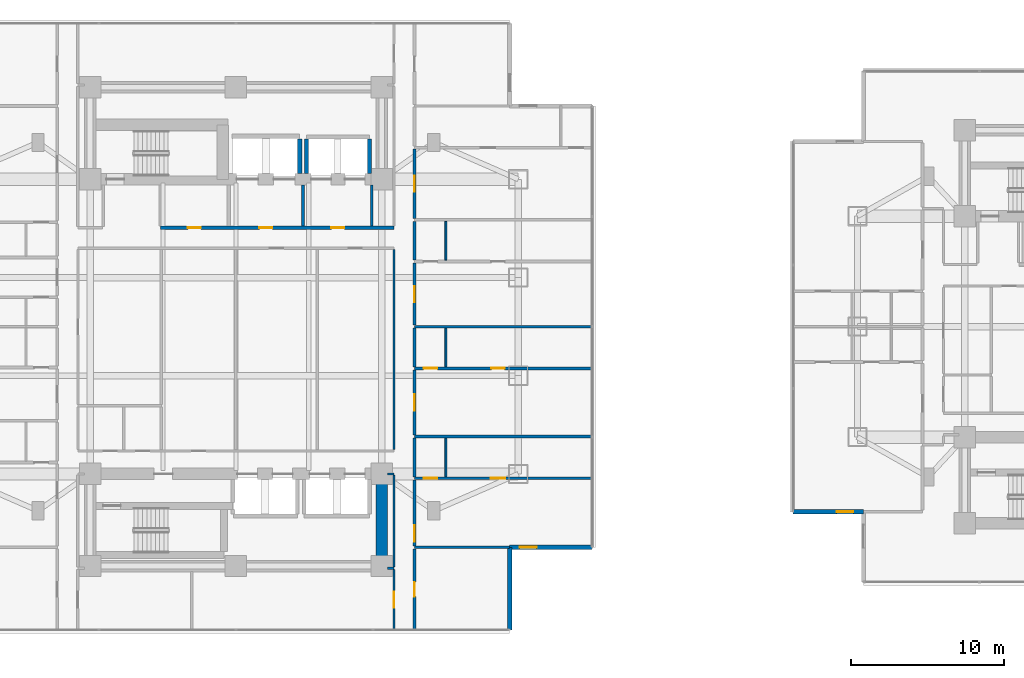
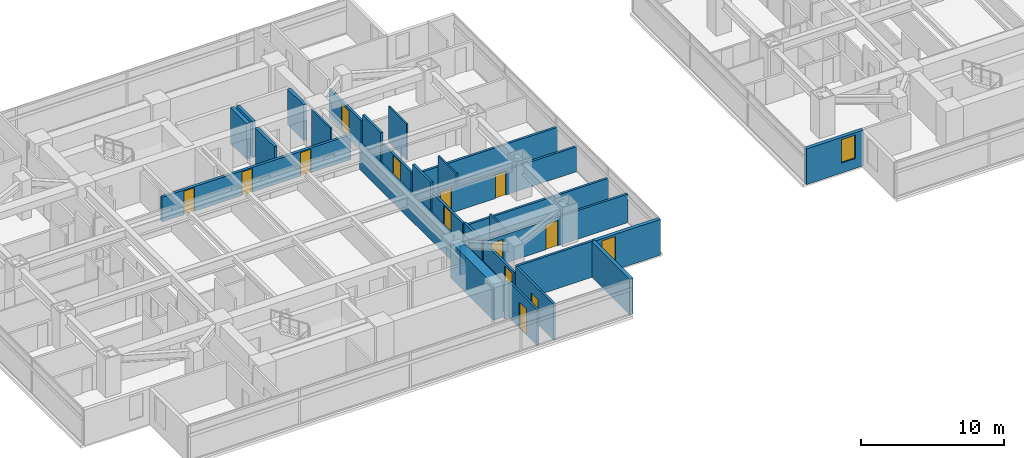
# One storey, part 16 of 26: 31 walls, 13 doors, 2 windows, 15 openings.
"""IFC4 building model written with IfcOpenShell, lengths in metres."""

from ifc_helpers import new_model, si_unit, direction, frame, frame_2d, origin, place, context, subcontext, project, spatial, rectangle, extrude, material, layer, layer_set, type_object, element, fill, save


model = new_model("IFC4")

# Units and contexts
model_context = context("Model", 3, precision=1e-05, world=origin(), true_north=direction((0.0, 1.0)))
body_context = subcontext(model_context, "Body", "Model", "MODEL_VIEW")
ifc_project = project(units=[si_unit("LENGTHUNIT", "METRE"), si_unit("AREAUNIT", "SQUARE_METRE"), si_unit("VOLUMEUNIT", "CUBIC_METRE"), si_unit("PLANEANGLEUNIT", "RADIAN"), si_unit("MASSUNIT", "GRAM", prefix="KILO")], contexts=[model_context])

# Site, building, storey
site_placement = place(None, origin())
site = spatial("IfcSite", under=ifc_project, at=site_placement, CompositionType="ELEMENT")
building_placement = place(site_placement, origin())
building = spatial("IfcBuilding", under=site, at=building_placement, Name="Mirazonda Arch Towers", CompositionType="ELEMENT")
storey_placement = place(building_placement, frame((0.0, 0.0, 48.800048828125)))
storey = spatial("IfcBuildingStorey", under=building, at=storey_placement, Name="L13", CompositionType="ELEMENT", Elevation=48.800048828125)

# Wall
ifc_material_1 = material(Name="Concrete C60/75", Category="concrete")
ifc_layer_1 = layer(ifc_material_1, 0.75, Name="WALL-CORE-750")
ifc_layer_set_1 = layer_set([ifc_layer_1], Name="Concrete C60/75")
wall_type_1 = type_object("IfcWallType", Name="WALL-CORE-750", PredefinedType="SHEAR", material=ifc_layer_set_1)
wall_1_placement = place(storey_placement, frame((30.0, 12.39990234375, 0.0), z_axis=(0.0, 0.0, 1.0), x_axis=(0.0, 1.0, 0.0)))
element("IfcWall", 1, at=wall_1_placement, inside=storey, type_object=wall_type_1, Name="L13 T1S-E Core Shear Wall", PredefinedType="SHEAR", context=body_context, shape_type="SweptSolid", body=[
    extrude(rectangle(XDim=6.0, YDim=0.75, at=frame_2d((3.0, 0.0))), origin(), (0.0, 0.0, 1.0), 3.06005859375),
])

# Wall, opening, window
ifc_material_2 = material(Name="Precast Concrete C40/50", Category="concrete")
ifc_layer_2 = layer(ifc_material_2, 0.280029296875, Name="WALL-EXT-WALL-280")
ifc_layer_set_2 = layer_set([ifc_layer_2], Name="Precast Concrete C40/50")
wall_type_2 = type_object("IfcWallType", Name="WALL-EXT-WALL-280", PredefinedType="SOLIDWALL", material=ifc_layer_set_2)
wall_2_placement = place(storey_placement, frame((38.340087890625, 13.615966796875, 0.0), z_axis=(0.0, 0.0, 1.0), x_axis=(1.0, 0.0, 0.0)))
wall_2 = element("IfcWall", 2, at=wall_2_placement, inside=storey, type_object=wall_type_2, Name="L13 T1 Corner Notch Return Wall WL-L13-T1-CSE1", PredefinedType="SOLIDWALL", context=body_context, shape_type="SweptSolid", body=[
    extrude(rectangle(XDim=5.3798828125, YDim=0.280029296875, at=frame_2d((2.68994140625, 0.0))), origin(), (0.0, 0.0, 1.0), 3.0400390625),
])
opening_1_placement = place(wall_2_placement, frame((0.64990234375, 0.0, 0.85009765625)))
opening_1 = element("IfcOpeningElement", 3, at=opening_1_placement, cuts=wall_2, Name="Opening WN-108", PredefinedType="OPENING", context=body_context, shape_type="SweptSolid", body=[
    extrude(rectangle(XDim=1.10009765625, YDim=2.0, at=frame_2d((0.550048828125, 1.0))), frame((0.0, 0.14990234375, 0.0), z_axis=(0.0, -1.0, 0.0), x_axis=(1.0, 0.0, 0.0)), (0.0, 0.0, 1.0), 0.300048828125),
])
ifc_material_3 = material(Name="Insulated Low-E Solar Glass", Category="glass")
window_type = type_object("IfcWindowType", Name="WIN-NOTCH-1100x2000", PartitioningType="SINGLE_PANEL", PredefinedType="WINDOW", material=ifc_material_3)
window_1_placement = place(opening_1_placement, origin())
window_1 = element("IfcWindow", 4, at=window_1_placement, inside=storey, type_object=window_type, Name="L13 Punched Facade Window WN-L13-T1-CSE1", OverallHeight=2.0, OverallWidth=1.10009765625, PartitioningType="SINGLE_PANEL", PredefinedType="WINDOW", context=body_context, shape_type="SweptSolid", body=[
    extrude(rectangle(XDim=1.10009765625, YDim=2.0, at=frame_2d((0.550048828125, 1.0))), frame((0.0, 0.030029296875, 0.0), z_axis=(0.0, -1.0, 0.0), x_axis=(1.0, 0.0, 0.0)), (0.0, 0.0, 1.0), 0.06005859375),
])
fill(opening_1, window_1)

# Wall
wall_3_placement = place(storey_placement, frame((38.340087890625, 8.236083984375, 0.0), z_axis=(0.0, 0.0, 1.0), x_axis=(0.0, 1.0, 0.0)))
element("IfcWall", 5, at=wall_3_placement, inside=storey, type_object=wall_type_2, Name="L13 T1 Corner Notch Return Wall WL-L13-T1-CSE2", PredefinedType="SOLIDWALL", context=body_context, shape_type="SweptSolid", body=[
    extrude(rectangle(XDim=5.3798828125, YDim=0.280029296875, at=frame_2d((2.68994140625, 0.0))), origin(), (0.0, 0.0, 1.0), 3.0400390625),
])

# Wall, opening, window
wall_4_placement = place(storey_placement, frame((56.81591796875, 15.93359375, 0.0), z_axis=(0.0, 0.0, 1.0), x_axis=(1.0, 0.0, 0.0)))
wall_4 = element("IfcWall", 6, at=wall_4_placement, inside=storey, type_object=wall_type_2, Name="L13 T2 Corner Notch Return Wall WL-L13-T2-CSW2", PredefinedType="SOLIDWALL", context=body_context, shape_type="SweptSolid", body=[
    extrude(rectangle(XDim=4.580078125, YDim=0.280029296875, at=frame_2d((2.2900390625, 0.0))), origin(), (0.0, 0.0, 1.0), 3.0400390625),
])
opening_2_placement = place(wall_4_placement, frame((2.830078125, 0.0, 0.85009765625)))
opening_2 = element("IfcOpeningElement", 7, at=opening_2_placement, cuts=wall_4, Name="Opening WN-108", PredefinedType="OPENING", context=body_context, shape_type="SweptSolid", body=[
    extrude(rectangle(XDim=1.10009765625, YDim=2.0, at=frame_2d((0.550048828125, 1.0))), frame((0.0, 0.14990234375, 0.0), z_axis=(0.0, -1.0, 0.0), x_axis=(1.0, 0.0, 0.0)), (0.0, 0.0, 1.0), 0.300048828125),
])
window_2_placement = place(opening_2_placement, origin())
window_2 = element("IfcWindow", 8, at=window_2_placement, inside=storey, type_object=window_type, Name="L13 Punched Facade Window WN-L13-T2-CSW2", OverallHeight=2.0, OverallWidth=1.10009765625, PartitioningType="SINGLE_PANEL", PredefinedType="WINDOW", context=body_context, shape_type="SweptSolid", body=[
    extrude(rectangle(XDim=1.10009765625, YDim=2.0, at=frame_2d((0.550048828125, 1.0))), frame((0.0, 0.030029296875, 0.0), z_axis=(0.0, -1.0, 0.0), x_axis=(1.0, 0.0, 0.0)), (0.0, 0.0, 1.0), 0.06005859375),
])
fill(opening_2, window_2)

# Wall, openings, doors
ifc_material_4 = material(Name="Concrete C40/50", Category="concrete")
ifc_layer_3 = layer(ifc_material_4, 0.219970703125, Name="WALL-FFL-220")
ifc_layer_set_3 = layer_set([ifc_layer_3], Name="Concrete C40/50")
wall_type_3 = type_object("IfcWallType", Name="WALL-FFL-220", PredefinedType="SOLIDWALL", material=ifc_layer_set_3)
wall_5_placement = place(storey_placement, frame((15.590087890625, 34.449951171875, 0.0), z_axis=(0.0, 0.0, 1.0), x_axis=(1.0, 0.0, 0.0)))
wall_5 = element("IfcWall", 9, at=wall_5_placement, inside=storey, type_object=wall_type_3, Name="L13 Interior Partition 047", PredefinedType="SOLIDWALL", context=body_context, shape_type="SweptSolid", body=[
    extrude(rectangle(XDim=15.2099609375, YDim=0.219970703125, at=frame_2d((7.60498046875, 0.0))), origin(), (0.0, 0.0, 1.0), 2.10400390625),
])
opening_3_placement = place(wall_5_placement, frame((6.43505859375, 0.0, 0.0)))
opening_3 = element("IfcOpeningElement", 10, at=opening_3_placement, cuts=wall_5, Name="Opening DR-128", PredefinedType="OPENING", context=body_context, shape_type="SweptSolid", body=[
    extrude(rectangle(XDim=0.85009765625, YDim=2.010009765625, at=frame_2d((0.425048828125, 1.0048828125))), frame((0.0, 0.119873046875, 0.0), z_axis=(0.0, -1.0, 0.0), x_axis=(1.0, 0.0, 0.0)), (0.0, 0.0, 1.0), 0.239990234375),
])
opening_4_placement = place(wall_5_placement, frame((11.135009765625, 0.0, 0.0)))
opening_4 = element("IfcOpeningElement", 11, at=opening_4_placement, cuts=wall_5, Name="Opening DR-128", PredefinedType="OPENING", context=body_context, shape_type="SweptSolid", body=[
    extrude(rectangle(XDim=0.85009765625, YDim=2.010009765625, at=frame_2d((0.425048828125, 1.0048828125))), frame((0.0, 0.119873046875, 0.0), z_axis=(0.0, -1.0, 0.0), x_axis=(1.0, 0.0, 0.0)), (0.0, 0.0, 1.0), 0.239990234375),
])
opening_5_placement = place(wall_5_placement, frame((1.77490234375, 0.0, 0.0)))
opening_5 = element("IfcOpeningElement", 12, at=opening_5_placement, cuts=wall_5, Name="Opening DR-128", PredefinedType="OPENING", context=body_context, shape_type="SweptSolid", body=[
    extrude(rectangle(XDim=0.85009765625, YDim=2.010009765625, at=frame_2d((0.425048828125, 1.0048828125))), frame((0.0, 0.119873046875, 0.0), z_axis=(0.0, -1.0, 0.0), x_axis=(1.0, 0.0, 0.0)), (0.0, 0.0, 1.0), 0.239990234375),
])
ifc_material_5 = material(Name="Architectural Brushed Steel S355", Category="steel")
door_type_1 = type_object("IfcDoorType", Name="DOOR-RISER-FD60-850", OperationType="NOTDEFINED", PredefinedType="DOOR", material=ifc_material_5)
door_1_placement = place(opening_3_placement, origin())
door_1 = element("IfcDoor", 13, at=door_1_placement, inside=storey, type_object=door_type_1, Name="L13 Firefighting Lift Lobby Door", OperationType="SINGLE_SWING_RIGHT", OverallHeight=2.010009765625, OverallWidth=0.85009765625, PredefinedType="DOOR", context=body_context, shape_type="SweptSolid", body=[
    extrude(rectangle(XDim=0.85009765625, YDim=2.010009765625, at=frame_2d((0.425048828125, 1.0048828125))), frame((0.0, 0.02490234375, 0.0), z_axis=(0.0, -1.0, 0.0), x_axis=(1.0, 0.0, 0.0)), (0.0, 0.0, 1.0), 0.050048828125),
])
fill(opening_3, door_1)
door_2_placement = place(opening_4_placement, origin())
door_2 = element("IfcDoor", 14, at=door_2_placement, inside=storey, type_object=door_type_1, Name="L13 Passenger Lift Lobby North Door", OperationType="SINGLE_SWING_LEFT", OverallHeight=2.010009765625, OverallWidth=0.85009765625, PredefinedType="DOOR", context=body_context, shape_type="SweptSolid", body=[
    extrude(rectangle(XDim=0.85009765625, YDim=2.010009765625, at=frame_2d((0.425048828125, 1.0048828125))), frame((0.0, 0.02490234375, 0.0), z_axis=(0.0, -1.0, 0.0), x_axis=(1.0, 0.0, 0.0)), (0.0, 0.0, 1.0), 0.050048828125),
])
fill(opening_4, door_2)
door_3_placement = place(opening_5_placement, origin())
door_3 = element("IfcDoor", 15, at=door_3_placement, inside=storey, type_object=door_type_1, Name="L13 Housekeeping Linen Room Door", OperationType="SINGLE_SWING_RIGHT", OverallHeight=2.010009765625, OverallWidth=0.85009765625, PredefinedType="DOOR", context=body_context, shape_type="SweptSolid", body=[
    extrude(rectangle(XDim=0.85009765625, YDim=2.010009765625, at=frame_2d((0.425048828125, 1.0048828125))), frame((0.0, 0.02490234375, 0.0), z_axis=(0.0, -1.0, 0.0), x_axis=(1.0, 0.0, 0.0)), (0.0, 0.0, 1.0), 0.050048828125),
])
fill(opening_5, door_3)

# Walls
wall_6_placement = place(storey_placement, frame((24.875, 34.570068359375, 0.0), z_axis=(0.0, 0.0, 1.0), x_axis=(0.0, 1.0, 0.0)))
element("IfcWall", 16, at=wall_6_placement, inside=storey, type_object=wall_type_3, Name="L13 Interior Partition 099", PredefinedType="SOLIDWALL", context=body_context, shape_type="SweptSolid", body=[
    extrude(rectangle(XDim=2.659912109375, YDim=0.219970703125, at=frame_2d((1.330078125, 0.0))), origin(), (0.0, 0.0, 1.0), 3.06005859375),
])
ifc_material_6 = material(Name="Fire-Rated Gypsum Stud Partition")
ifc_layer_4 = layer(ifc_material_6, 0.14990234375, Name="WALL-PART-CORR-150")
ifc_layer_set_4 = layer_set([ifc_layer_4], Name="Fire-Rated Gypsum Stud Partition")
wall_type_4 = type_object("IfcWallType", Name="WALL-PART-CORR-150", PredefinedType="PARTITIONING", material=ifc_layer_set_4)
wall_7_placement = place(storey_placement, frame((30.3701171875, 12.25, 0.0), z_axis=(0.0, 0.0, 1.0), x_axis=(1.0, 0.0, 0.0)))
element("IfcWall", 17, at=wall_7_placement, inside=storey, type_object=wall_type_4, Name="L13 Interior Partition 002", PredefinedType="PARTITIONING", context=body_context, shape_type="SweptSolid", body=[
    extrude(rectangle(XDim=0.429931640625, YDim=0.14990234375, at=frame_2d((0.21484375, 0.0))), origin(), (0.0, 0.0, 1.0), 3.06005859375),
])
wall_8_placement = place(storey_placement, frame((30.3701171875, 18.39990234375, 0.0), z_axis=(0.0, 0.0, 1.0), x_axis=(1.0, 0.0, 0.0)))
element("IfcWall", 18, at=wall_8_placement, inside=storey, type_object=wall_type_4, Name="L13 Interior Partition 014", PredefinedType="PARTITIONING", context=body_context, shape_type="SweptSolid", body=[
    extrude(rectangle(XDim=0.429931640625, YDim=0.14990234375, at=frame_2d((0.21484375, 0.0))), origin(), (0.0, 0.0, 1.0), 2.43603515625),
])
wall_9_placement = place(storey_placement, frame((29.35009765625, 34.570068359375, 0.0), z_axis=(0.0, 0.0, 1.0), x_axis=(0.0, 1.0, 0.0)))
element("IfcWall", 19, at=wall_9_placement, inside=storey, type_object=wall_type_4, Name="L13 Interior Partition 103", PredefinedType="PARTITIONING", context=body_context, shape_type="SweptSolid", body=[
    extrude(rectangle(XDim=2.659912109375, YDim=0.14990234375, at=frame_2d((1.330078125, 0.0))), origin(), (0.0, 0.0, 1.0), 3.06005859375),
])

# Wall, opening, door
wall_10_placement = place(storey_placement, frame((30.800048828125, 8.236083984375, 0.0), z_axis=(0.0, 0.0, 1.0), x_axis=(0.0, 1.0, 0.0)))
wall_10 = element("IfcWall", 20, at=wall_10_placement, inside=storey, type_object=wall_type_4, Name="L13 Interior Partition 105", PredefinedType="PARTITIONING", context=body_context, shape_type="SweptSolid", body=[
    extrude(rectangle(XDim=3.928955078125, YDim=0.14990234375, at=frame_2d((1.96435546875, 0.0))), origin(), (0.0, 0.0, 1.0), 3.06005859375),
])
opening_6_placement = place(wall_10_placement, frame((1.439453125, 0.0, 0.0)))
opening_6 = element("IfcOpeningElement", 21, at=opening_6_placement, cuts=wall_10, Name="Opening DR-121", PredefinedType="OPENING", context=body_context, shape_type="SweptSolid", body=[
    extrude(rectangle(XDim=1.050048828125, YDim=2.199951171875, at=frame_2d((0.52490234375, 1.10009765625))), frame((0.0, 0.0849609375, 0.0), z_axis=(0.0, -1.0, 0.0), x_axis=(1.0, 0.0, 0.0)), (0.0, 0.0, 1.0), 0.169921875),
])
door_type_2 = type_object("IfcDoorType", Name="DOOR-SUITE-FD60-1050", OperationType="NOTDEFINED", PredefinedType="DOOR", material=ifc_material_5)
door_4_placement = place(opening_6_placement, origin())
door_4 = element("IfcDoor", 22, at=door_4_placement, inside=storey, type_object=door_type_2, Name="L13 South Horizon Lounge Grand Door", OperationType="SINGLE_SWING_RIGHT", OverallHeight=2.199951171875, OverallWidth=1.050048828125, PredefinedType="DOOR", context=body_context, shape_type="SweptSolid", body=[
    extrude(rectangle(XDim=1.050048828125, YDim=2.199951171875, at=frame_2d((0.52490234375, 1.10009765625))), frame((0.0, 0.02490234375, 0.0), z_axis=(0.0, -1.0, 0.0), x_axis=(1.0, 0.0, 0.0)), (0.0, 0.0, 1.0), 0.050048828125),
])
fill(opening_6, door_4)

# Walls
wall_11_placement = place(storey_placement, frame((30.800048828125, 12.3349609375, 0.0), z_axis=(0.0, 0.0, 1.0), x_axis=(0.0, 1.0, 0.0)))
element("IfcWall", 23, at=wall_11_placement, inside=storey, type_object=wall_type_4, Name="L13 Interior Partition 106", PredefinedType="PARTITIONING", context=body_context, shape_type="SweptSolid", body=[
    extrude(rectangle(XDim=5.97998046875, YDim=0.14990234375, at=frame_2d((2.989990234375, 0.0))), origin(), (0.0, 0.0, 1.0), 2.43603515625),
])
wall_12_placement = place(storey_placement, frame((30.800048828125, 19.985107421875, 0.0), z_axis=(0.0, 0.0, 1.0), x_axis=(0.0, 1.0, 0.0)))
element("IfcWall", 24, at=wall_12_placement, inside=storey, type_object=wall_type_4, Name="L13 Interior Partition 107", PredefinedType="PARTITIONING", context=body_context, shape_type="SweptSolid", body=[
    extrude(rectangle(XDim=13.02978515625, YDim=0.14990234375, at=frame_2d((6.514892578125, 0.0))), origin(), (0.0, 0.0, 1.0), 2.279052734375),
])
ifc_material_7 = material(Name="Fire-Rated Gypsum Twin-Stud Assembly")
ifc_layer_5 = layer(ifc_material_7, 0.179931640625, Name="WALL-PART-DEMISE-180")
ifc_layer_set_5 = layer_set([ifc_layer_5], Name="Fire-Rated Gypsum Twin-Stud Assembly")
wall_type_5 = type_object("IfcWallType", Name="WALL-PART-DEMISE-180", PredefinedType="PARTITIONING", material=ifc_layer_set_5)
wall_13_placement = place(storey_placement, frame((32.139892578125, 13.615966796875, 0.0), z_axis=(0.0, 0.0, 1.0), x_axis=(1.0, 0.0, 0.0)))
element("IfcWall", 25, at=wall_13_placement, inside=storey, type_object=wall_type_5, Name="L13 Interior Partition 005", PredefinedType="PARTITIONING", context=body_context, shape_type="SweptSolid", body=[
    extrude(rectangle(XDim=6.18017578125, YDim=0.179931640625, at=frame_2d((3.090087890625, 0.0))), origin(), (0.0, 0.0, 1.0), 3.06005859375),
])

# Wall, openings, doors
wall_14_placement = place(storey_placement, frame((32.139892578125, 18.115966796875, 0.0), z_axis=(0.0, 0.0, 1.0), x_axis=(1.0, 0.0, 0.0)))
wall_14 = element("IfcWall", 26, at=wall_14_placement, inside=storey, type_object=wall_type_5, Name="L13 Interior Partition 011", PredefinedType="PARTITIONING", context=body_context, shape_type="SweptSolid", body=[
    extrude(rectangle(XDim=11.580078125, YDim=0.179931640625, at=frame_2d((5.7900390625, 0.0))), origin(), (0.0, 0.0, 1.0), 2.43603515625),
])
opening_7_placement = place(wall_14_placement, frame((4.965087890625, 0.0, 0.0)))
opening_7 = element("IfcOpeningElement", 27, at=opening_7_placement, cuts=wall_14, Name="Opening DR-104", PredefinedType="OPENING", context=body_context, shape_type="SweptSolid", body=[
    extrude(rectangle(XDim=0.949951171875, YDim=2.14990234375, at=frame_2d((0.47509765625, 1.074951171875))), frame((0.0, 0.099853515625, 0.0), z_axis=(0.0, -1.0, 0.0), x_axis=(1.0, 0.0, 0.0)), (0.0, 0.0, 1.0), 0.199951171875),
])
opening_8_placement = place(wall_14_placement, frame((0.590087890625, 0.0, 0.0)))
opening_8 = element("IfcOpeningElement", 28, at=opening_8_placement, cuts=wall_14, Name="Opening DR-120", PredefinedType="OPENING", context=body_context, shape_type="SweptSolid", body=[
    extrude(rectangle(XDim=0.89990234375, YDim=2.10009765625, at=frame_2d((0.449951171875, 1.050048828125))), frame((0.0, 0.099853515625, 0.0), z_axis=(0.0, -1.0, 0.0), x_axis=(1.0, 0.0, 0.0)), (0.0, 0.0, 1.0), 0.199951171875),
])
door_type_3 = type_object("IfcDoorType", Name="DOOR-ROOM-950", OperationType="NOTDEFINED", PredefinedType="DOOR", material=ifc_material_5)
door_5_placement = place(opening_7_placement, origin())
door_5 = element("IfcDoor", 29, at=door_5_placement, inside=storey, type_object=door_type_3, Name="L13 Guestroom Study 1 Door", OperationType="SINGLE_SWING_LEFT", OverallHeight=2.14990234375, OverallWidth=0.949951171875, PredefinedType="DOOR", context=body_context, shape_type="SweptSolid", body=[
    extrude(rectangle(XDim=0.949951171875, YDim=2.14990234375, at=frame_2d((0.47509765625, 1.074951171875))), frame((0.0, 0.02490234375, 0.0), z_axis=(0.0, -1.0, 0.0), x_axis=(1.0, 0.0, 0.0)), (0.0, 0.0, 1.0), 0.050048828125),
])
fill(opening_7, door_5)
door_type_4 = type_object("IfcDoorType", Name="DOOR-WC-900", OperationType="NOTDEFINED", PredefinedType="DOOR", material=ifc_material_5)
door_6_placement = place(opening_8_placement, origin())
door_6 = element("IfcDoor", 30, at=door_6_placement, inside=storey, type_object=door_type_4, Name="L13 En-Suite Bathroom 1 Door", OperationType="SINGLE_SWING_RIGHT", OverallHeight=2.10009765625, OverallWidth=0.89990234375, PredefinedType="DOOR", context=body_context, shape_type="SweptSolid", body=[
    extrude(rectangle(XDim=0.89990234375, YDim=2.10009765625, at=frame_2d((0.449951171875, 1.050048828125))), frame((0.0, 0.02490234375, 0.0), z_axis=(0.0, -1.0, 0.0), x_axis=(1.0, 0.0, 0.0)), (0.0, 0.0, 1.0), 0.050048828125),
])
fill(opening_8, door_6)

# Wall
wall_15_placement = place(storey_placement, frame((32.139892578125, 20.8359375, 0.0), z_axis=(0.0, 0.0, 1.0), x_axis=(1.0, 0.0, 0.0)))
element("IfcWall", 31, at=wall_15_placement, inside=storey, type_object=wall_type_5, Name="L13 Interior Partition 020", PredefinedType="PARTITIONING", context=body_context, shape_type="SweptSolid", body=[
    extrude(rectangle(XDim=11.580078125, YDim=0.179931640625, at=frame_2d((5.7900390625, 0.0))), origin(), (0.0, 0.0, 1.0), 2.125),
])

# Wall, openings, doors
wall_16_placement = place(storey_placement, frame((32.139892578125, 25.280029296875, 0.0), z_axis=(0.0, 0.0, 1.0), x_axis=(1.0, 0.0, 0.0)))
wall_16 = element("IfcWall", 32, at=wall_16_placement, inside=storey, type_object=wall_type_5, Name="L13 Interior Partition 029", PredefinedType="PARTITIONING", context=body_context, shape_type="SweptSolid", body=[
    extrude(rectangle(XDim=11.580078125, YDim=0.179931640625, at=frame_2d((5.7900390625, 0.0))), origin(), (0.0, 0.0, 1.0), 2.125),
])
opening_9_placement = place(wall_16_placement, frame((5.014892578125, 0.0, 0.0)))
opening_9 = element("IfcOpeningElement", 33, at=opening_9_placement, cuts=wall_16, Name="Opening DR-128", PredefinedType="OPENING", context=body_context, shape_type="SweptSolid", body=[
    extrude(rectangle(XDim=0.85009765625, YDim=2.010009765625, at=frame_2d((0.425048828125, 1.0048828125))), frame((0.0, 0.099853515625, 0.0), z_axis=(0.0, -1.0, 0.0), x_axis=(1.0, 0.0, 0.0)), (0.0, 0.0, 1.0), 0.199951171875),
])
opening_10_placement = place(wall_16_placement, frame((0.590087890625, 0.0, 0.0)))
opening_10 = element("IfcOpeningElement", 34, at=opening_10_placement, cuts=wall_16, Name="Opening DR-120", PredefinedType="OPENING", context=body_context, shape_type="SweptSolid", body=[
    extrude(rectangle(XDim=0.89990234375, YDim=2.10009765625, at=frame_2d((0.449951171875, 1.050048828125))), frame((0.0, 0.099853515625, 0.0), z_axis=(0.0, -1.0, 0.0), x_axis=(1.0, 0.0, 0.0)), (0.0, 0.0, 1.0), 0.199951171875),
])
door_7_placement = place(opening_9_placement, origin())
door_7 = element("IfcDoor", 35, at=door_7_placement, inside=storey, type_object=door_type_1, Name="L13 Guestroom Study 2 Door", OperationType="SINGLE_SWING_RIGHT", OverallHeight=2.010009765625, OverallWidth=0.85009765625, PredefinedType="DOOR", context=body_context, shape_type="SweptSolid", body=[
    extrude(rectangle(XDim=0.85009765625, YDim=2.010009765625, at=frame_2d((0.425048828125, 1.0048828125))), frame((0.0, 0.02490234375, 0.0), z_axis=(0.0, -1.0, 0.0), x_axis=(1.0, 0.0, 0.0)), (0.0, 0.0, 1.0), 0.050048828125),
])
fill(opening_9, door_7)
door_8_placement = place(opening_10_placement, origin())
door_8 = element("IfcDoor", 36, at=door_8_placement, inside=storey, type_object=door_type_4, Name="L13 En-Suite Bathroom 2 Door", OperationType="SINGLE_SWING_LEFT", OverallHeight=2.10009765625, OverallWidth=0.89990234375, PredefinedType="DOOR", context=body_context, shape_type="SweptSolid", body=[
    extrude(rectangle(XDim=0.89990234375, YDim=2.10009765625, at=frame_2d((0.449951171875, 1.050048828125))), frame((0.0, 0.02490234375, 0.0), z_axis=(0.0, -1.0, 0.0), x_axis=(1.0, 0.0, 0.0)), (0.0, 0.0, 1.0), 0.050048828125),
])
fill(opening_10, door_8)

# Wall
wall_17_placement = place(storey_placement, frame((32.139892578125, 28.0, 0.0), z_axis=(0.0, 0.0, 1.0), x_axis=(1.0, 0.0, 0.0)))
element("IfcWall", 37, at=wall_17_placement, inside=storey, type_object=wall_type_5, Name="L13 Interior Partition 034", PredefinedType="PARTITIONING", context=body_context, shape_type="SweptSolid", body=[
    extrude(rectangle(XDim=11.580078125, YDim=0.179931640625, at=frame_2d((5.7900390625, 0.0))), origin(), (0.0, 0.0, 1.0), 2.125),
])

# Wall, opening, door
wall_18_placement = place(storey_placement, frame((32.139892578125, 8.236083984375, 0.0), z_axis=(0.0, 0.0, 1.0), x_axis=(0.0, 1.0, 0.0)))
wall_18 = element("IfcWall", 38, at=wall_18_placement, inside=storey, type_object=wall_type_5, Name="L13 Interior Partition 110", PredefinedType="PARTITIONING", context=body_context, shape_type="SweptSolid", body=[
    extrude(rectangle(XDim=5.280029296875, YDim=0.179931640625, at=frame_2d((2.64013671875, 0.0))), origin(), (0.0, 0.0, 1.0), 3.06005859375),
])
opening_11_placement = place(wall_18_placement, frame((2.1650390625, 0.0, 0.0)))
opening_11 = element("IfcOpeningElement", 39, at=opening_11_placement, cuts=wall_18, Name="Opening DR-104", PredefinedType="OPENING", context=body_context, shape_type="SweptSolid", body=[
    extrude(rectangle(XDim=0.949951171875, YDim=2.14990234375, at=frame_2d((0.47509765625, 1.074951171875))), frame((0.0, 0.099853515625, 0.0), z_axis=(0.0, -1.0, 0.0), x_axis=(1.0, 0.0, 0.0)), (0.0, 0.0, 1.0), 0.199951171875),
])
door_9_placement = place(opening_11_placement, origin())
door_9 = element("IfcDoor", 40, at=door_9_placement, inside=storey, type_object=door_type_3, Name="L13 South Horizon Lounge Alcove East Door", OperationType="SINGLE_SWING_RIGHT", OverallHeight=2.14990234375, OverallWidth=0.949951171875, PredefinedType="DOOR", context=body_context, shape_type="SweptSolid", body=[
    extrude(rectangle(XDim=0.949951171875, YDim=2.14990234375, at=frame_2d((0.47509765625, 1.074951171875))), frame((0.0, 0.02490234375, 0.0), z_axis=(0.0, -1.0, 0.0), x_axis=(1.0, 0.0, 0.0)), (0.0, 0.0, 1.0), 0.050048828125),
])
fill(opening_11, door_9)

wall_19_placement = place(storey_placement, frame((32.139892578125, 13.716064453125, 0.0), z_axis=(0.0, 0.0, 1.0), x_axis=(0.0, 1.0, 0.0)))
wall_19 = element("IfcWall", 41, at=wall_19_placement, inside=storey, type_object=wall_type_5, Name="L13 Interior Partition 111", PredefinedType="PARTITIONING", context=body_context, shape_type="SweptSolid", body=[
    extrude(rectangle(XDim=4.300048828125, YDim=0.179931640625, at=frame_2d((2.14990234375, 0.0))), origin(), (0.0, 0.0, 1.0), 2.43603515625),
])
opening_12_placement = place(wall_19_placement, frame((0.27490234375, 0.0, 0.0)))
opening_12 = element("IfcOpeningElement", 42, at=opening_12_placement, cuts=wall_19, Name="Opening DR-121", PredefinedType="OPENING", context=body_context, shape_type="SweptSolid", body=[
    extrude(rectangle(XDim=1.050048828125, YDim=2.199951171875, at=frame_2d((0.52490234375, 1.10009765625))), frame((0.0, 0.099853515625, 0.0), z_axis=(0.0, -1.0, 0.0), x_axis=(1.0, 0.0, 0.0)), (0.0, 0.0, 1.0), 0.199951171875),
])
door_10_placement = place(opening_12_placement, origin())
door_10 = element("IfcDoor", 43, at=door_10_placement, inside=storey, type_object=door_type_2, Name="L13 King Hotel Guestroom 1 Door", OperationType="SINGLE_SWING_RIGHT", OverallHeight=2.199951171875, OverallWidth=1.050048828125, PredefinedType="DOOR", context=body_context, shape_type="SweptSolid", body=[
    extrude(rectangle(XDim=1.050048828125, YDim=2.199951171875, at=frame_2d((0.52490234375, 1.10009765625))), frame((0.0, 0.02490234375, 0.0), z_axis=(0.0, -1.0, 0.0), x_axis=(1.0, 0.0, 0.0)), (0.0, 0.0, 1.0), 0.050048828125),
])
fill(opening_12, door_10)

# Wall
wall_20_placement = place(storey_placement, frame((32.139892578125, 18.216064453125, 0.0), z_axis=(0.0, 0.0, 1.0), x_axis=(0.0, 1.0, 0.0)))
element("IfcWall", 44, at=wall_20_placement, inside=storey, type_object=wall_type_5, Name="L13 Interior Partition 112", PredefinedType="PARTITIONING", context=body_context, shape_type="SweptSolid", body=[
    extrude(rectangle(XDim=2.52001953125, YDim=0.179931640625, at=frame_2d((1.260009765625, 0.0))), origin(), (0.0, 0.0, 1.0), 2.451904296875),
])

# Wall, opening, door
wall_21_placement = place(storey_placement, frame((32.139892578125, 20.93603515625, 0.0), z_axis=(0.0, 0.0, 1.0), x_axis=(0.0, 1.0, 0.0)))
wall_21 = element("IfcWall", 45, at=wall_21_placement, inside=storey, type_object=wall_type_5, Name="L13 Interior Partition 113", PredefinedType="PARTITIONING", context=body_context, shape_type="SweptSolid", body=[
    extrude(rectangle(XDim=4.243896484375, YDim=0.179931640625, at=frame_2d((2.1220703125, 0.0))), origin(), (0.0, 0.0, 1.0), 2.279052734375),
])
opening_13_placement = place(wall_21_placement, frame((1.596923828125, 0.0, 0.0)))
opening_13 = element("IfcOpeningElement", 46, at=opening_13_placement, cuts=wall_21, Name="Opening DR-121", PredefinedType="OPENING", context=body_context, shape_type="SweptSolid", body=[
    extrude(rectangle(XDim=1.050048828125, YDim=2.199951171875, at=frame_2d((0.52490234375, 1.10009765625))), frame((0.0, 0.099853515625, 0.0), z_axis=(0.0, -1.0, 0.0), x_axis=(1.0, 0.0, 0.0)), (0.0, 0.0, 1.0), 0.199951171875),
])
door_11_placement = place(opening_13_placement, origin())
door_11 = element("IfcDoor", 47, at=door_11_placement, inside=storey, type_object=door_type_2, Name="L13 Twin Hotel Guestroom 2 Door", OperationType="SINGLE_SWING_LEFT", OverallHeight=2.199951171875, OverallWidth=1.050048828125, PredefinedType="DOOR", context=body_context, shape_type="SweptSolid", body=[
    extrude(rectangle(XDim=1.050048828125, YDim=2.199951171875, at=frame_2d((0.52490234375, 1.10009765625))), frame((0.0, 0.02490234375, 0.0), z_axis=(0.0, -1.0, 0.0), x_axis=(1.0, 0.0, 0.0)), (0.0, 0.0, 1.0), 0.050048828125),
])
fill(opening_13, door_11)

# Wall
wall_22_placement = place(storey_placement, frame((32.139892578125, 25.3798828125, 0.0), z_axis=(0.0, 0.0, 1.0), x_axis=(0.0, 1.0, 0.0)))
element("IfcWall", 48, at=wall_22_placement, inside=storey, type_object=wall_type_5, Name="L13 Interior Partition 114", PredefinedType="PARTITIONING", context=body_context, shape_type="SweptSolid", body=[
    extrude(rectangle(XDim=2.52001953125, YDim=0.179931640625, at=frame_2d((1.260009765625, 0.0))), origin(), (0.0, 0.0, 1.0), 3.06005859375),
])

# Wall, opening, door
wall_23_placement = place(storey_placement, frame((32.139892578125, 28.10009765625, 0.0), z_axis=(0.0, 0.0, 1.0), x_axis=(0.0, 1.0, 0.0)))
wall_23 = element("IfcWall", 49, at=wall_23_placement, inside=storey, type_object=wall_type_5, Name="L13 Interior Partition 115", PredefinedType="PARTITIONING", context=body_context, shape_type="SweptSolid", body=[
    extrude(rectangle(XDim=4.038818359375, YDim=0.179931640625, at=frame_2d((2.01953125, 0.0))), origin(), (0.0, 0.0, 1.0), 2.279052734375),
])
opening_14_placement = place(wall_23_placement, frame((1.494384765625, 0.0, 0.0)))
opening_14 = element("IfcOpeningElement", 50, at=opening_14_placement, cuts=wall_23, Name="Opening DR-121", PredefinedType="OPENING", context=body_context, shape_type="SweptSolid", body=[
    extrude(rectangle(XDim=1.050048828125, YDim=2.199951171875, at=frame_2d((0.52490234375, 1.10009765625))), frame((0.0, 0.099853515625, 0.0), z_axis=(0.0, -1.0, 0.0), x_axis=(1.0, 0.0, 0.0)), (0.0, 0.0, 1.0), 0.199951171875),
])
door_12_placement = place(opening_14_placement, origin())
door_12 = element("IfcDoor", 51, at=door_12_placement, inside=storey, type_object=door_type_2, Name="L13 King Hotel Guestroom 3 Door", OperationType="SINGLE_SWING_RIGHT", OverallHeight=2.199951171875, OverallWidth=1.050048828125, PredefinedType="DOOR", context=body_context, shape_type="SweptSolid", body=[
    extrude(rectangle(XDim=1.050048828125, YDim=2.199951171875, at=frame_2d((0.52490234375, 1.10009765625))), frame((0.0, 0.02490234375, 0.0), z_axis=(0.0, -1.0, 0.0), x_axis=(1.0, 0.0, 0.0)), (0.0, 0.0, 1.0), 0.050048828125),
])
fill(opening_14, door_12)

# Wall
wall_24_placement = place(storey_placement, frame((32.139892578125, 32.339111328125, 0.0), z_axis=(0.0, 0.0, 1.0), x_axis=(0.0, 1.0, 0.0)))
element("IfcWall", 52, at=wall_24_placement, inside=storey, type_object=wall_type_5, Name="L13 Interior Partition 116", PredefinedType="PARTITIONING", context=body_context, shape_type="SweptSolid", body=[
    extrude(rectangle(XDim=2.519775390625, YDim=0.179931640625, at=frame_2d((1.259765625, 0.0))), origin(), (0.0, 0.0, 1.0), 3.06005859375),
])

# Wall, opening, door
wall_25_placement = place(storey_placement, frame((32.139892578125, 35.05908203125, 0.0), z_axis=(0.0, 0.0, 1.0), x_axis=(0.0, 1.0, 0.0)))
wall_25 = element("IfcWall", 53, at=wall_25_placement, inside=storey, type_object=wall_type_5, Name="L13 Interior Partition 117", PredefinedType="PARTITIONING", context=body_context, shape_type="SweptSolid", body=[
    extrude(rectangle(XDim=4.5048828125, YDim=0.179931640625, at=frame_2d((2.25244140625, 0.0))), origin(), (0.0, 0.0, 1.0), 2.43603515625),
])
opening_15_placement = place(wall_25_placement, frame((1.7275390625, 0.0, 0.0)))
opening_15 = element("IfcOpeningElement", 54, at=opening_15_placement, cuts=wall_25, Name="Opening DR-121", PredefinedType="OPENING", context=body_context, shape_type="SweptSolid", body=[
    extrude(rectangle(XDim=1.050048828125, YDim=2.199951171875, at=frame_2d((0.52490234375, 1.10009765625))), frame((0.0, 0.099853515625, 0.0), z_axis=(0.0, -1.0, 0.0), x_axis=(1.0, 0.0, 0.0)), (0.0, 0.0, 1.0), 0.199951171875),
])
door_13_placement = place(opening_15_placement, origin())
door_13 = element("IfcDoor", 55, at=door_13_placement, inside=storey, type_object=door_type_2, Name="L13 Twin Hotel Guestroom 4 Door", OperationType="SINGLE_SWING_LEFT", OverallHeight=2.199951171875, OverallWidth=1.050048828125, PredefinedType="DOOR", context=body_context, shape_type="SweptSolid", body=[
    extrude(rectangle(XDim=1.050048828125, YDim=2.199951171875, at=frame_2d((0.52490234375, 1.10009765625))), frame((0.0, 0.02490234375, 0.0), z_axis=(0.0, -1.0, 0.0), x_axis=(1.0, 0.0, 0.0)), (0.0, 0.0, 1.0), 0.050048828125),
])
fill(opening_15, door_13)

# Walls
ifc_material_8 = material(Name="Acoustic Fire-Rated Gypsum Partition")
ifc_layer_6 = layer(ifc_material_8, 0.125, Name="WALL-PART-UNIT-125")
ifc_layer_set_6 = layer_set([ifc_layer_6], Name="Acoustic Fire-Rated Gypsum Partition")
wall_type_6 = type_object("IfcWallType", Name="WALL-PART-UNIT-125", PredefinedType="PARTITIONING", material=ifc_layer_set_6)
wall_26_placement = place(storey_placement, frame((34.179931640625, 18.216064453125, 0.0), z_axis=(0.0, 0.0, 1.0), x_axis=(0.0, 1.0, 0.0)))
element("IfcWall", 56, at=wall_26_placement, inside=storey, type_object=wall_type_6, Name="L13 Interior Partition 120", PredefinedType="PARTITIONING", context=body_context, shape_type="SweptSolid", body=[
    extrude(rectangle(XDim=2.52001953125, YDim=0.125, at=frame_2d((1.260009765625, 0.0))), origin(), (0.0, 0.0, 1.0), 2.451904296875),
])
wall_27_placement = place(storey_placement, frame((34.179931640625, 25.3798828125, 0.0), z_axis=(0.0, 0.0, 1.0), x_axis=(0.0, 1.0, 0.0)))
element("IfcWall", 57, at=wall_27_placement, inside=storey, type_object=wall_type_6, Name="L13 Interior Partition 121", PredefinedType="PARTITIONING", context=body_context, shape_type="SweptSolid", body=[
    extrude(rectangle(XDim=2.52001953125, YDim=0.125, at=frame_2d((1.260009765625, 0.0))), origin(), (0.0, 0.0, 1.0), 3.06005859375),
])
wall_28_placement = place(storey_placement, frame((34.179931640625, 32.339111328125, 0.0), z_axis=(0.0, 0.0, 1.0), x_axis=(0.0, 1.0, 0.0)))
element("IfcWall", 58, at=wall_28_placement, inside=storey, type_object=wall_type_6, Name="L13 Interior Partition 122", PredefinedType="PARTITIONING", context=body_context, shape_type="SweptSolid", body=[
    extrude(rectangle(XDim=2.519775390625, YDim=0.125, at=frame_2d((1.259765625, 0.0))), origin(), (0.0, 0.0, 1.0), 3.06005859375),
])
ifc_layer_7 = layer(ifc_material_4, 0.25, Name="WALL-SHAFT-250")
ifc_layer_set_7 = layer_set([ifc_layer_7], Name="Concrete C40/50")
wall_type_7 = type_object("IfcWallType", Name="WALL-SHAFT-250", PredefinedType="SOLIDWALL", material=ifc_layer_set_7)
for number, where, z_axis, x_axis, name in (
    (59, (25.10009765625, 37.969970703125, 0.0), (0.0, 0.0, 1.0), (0.0, 1.0, 0.0), "L13 Interior Partition 100"),
    (60, (29.199951171875, 37.969970703125, 0.0), (0.0, 0.0, 1.0), (0.0, 1.0, 0.0), "L13 Interior Partition 104"),
):
    element("IfcWall", number, at=place(storey_placement, frame(where, z_axis=z_axis, x_axis=x_axis)), inside=storey, type_object=wall_type_7, Name=name, PredefinedType="SOLIDWALL", context=body_context, shape_type="SweptSolid", body=[
        extrude(rectangle(XDim=2.2451171875, YDim=0.25, at=frame_2d((1.12255859375, 0.0))), origin(), (0.0, 0.0, 1.0), 3.06005859375),
    ])
ifc_material_9 = material(Name="Concrete C50/60", Category="concrete")
ifc_layer_8 = layer(ifc_material_9, 0.300048828125, Name="WALL-SHAFT-300")
ifc_layer_set_8 = layer_set([ifc_layer_8], Name="Concrete C50/60")
wall_type_8 = type_object("IfcWallType", Name="WALL-SHAFT-300", PredefinedType="SOLIDWALL", material=ifc_layer_set_8)
wall_29_placement = place(storey_placement, frame((24.64990234375, 37.969970703125, 0.0), z_axis=(0.0, 0.0, 1.0), x_axis=(0.0, 1.0, 0.0)))
element("IfcWall", 61, at=wall_29_placement, inside=storey, type_object=wall_type_8, Name="L13 Interior Partition 097", PredefinedType="SOLIDWALL", context=body_context, shape_type="SweptSolid", body=[
    extrude(rectangle(XDim=2.27001953125, YDim=0.300048828125, at=frame_2d((1.135009765625, 0.0))), origin(), (0.0, 0.0, 1.0), 3.06005859375),
])

save(model, "model.ifc")
